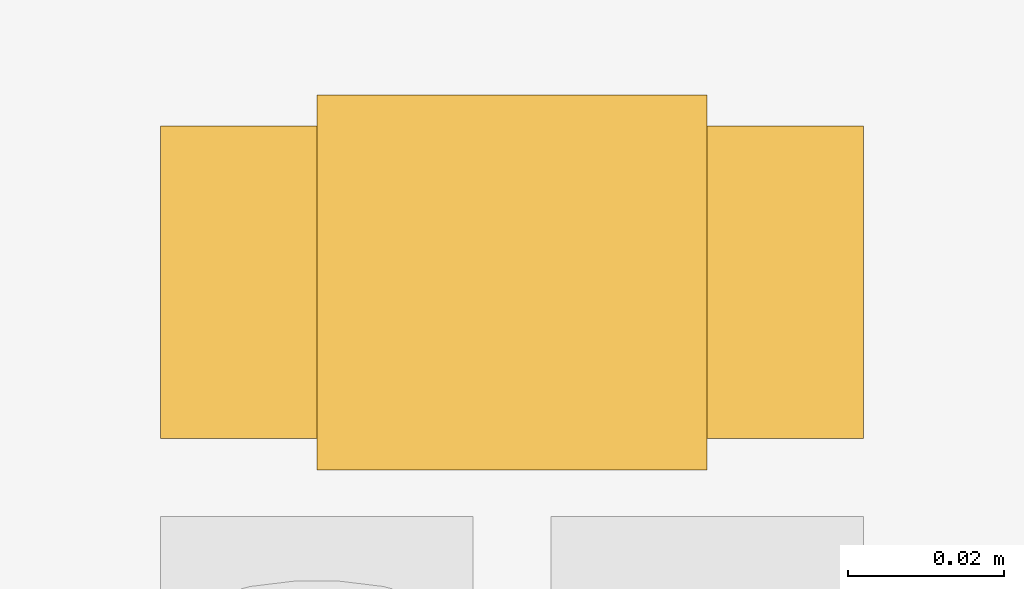
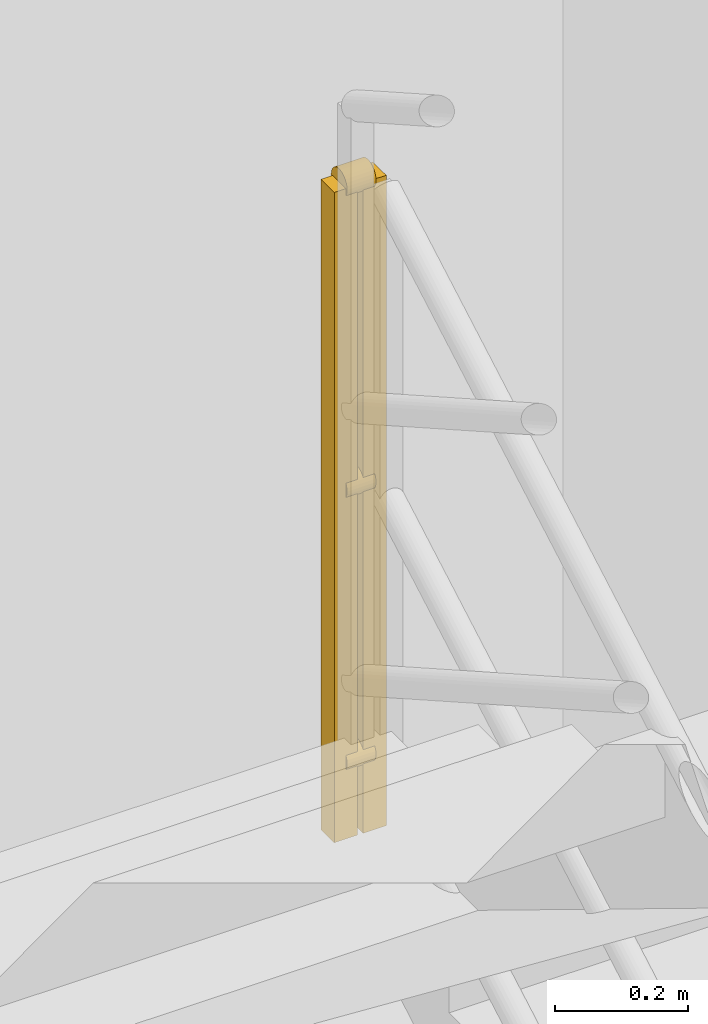
# One storey, part 10 of 15: 1 railing.
"""IFC4 building model written with IfcOpenShell, lengths in metres."""

from ifc_helpers import new_model, entity, si_unit, converted_unit, direction, frame, origin_with_axes, origin_2d_with_axis, place, context, subcontext, project, spatial, rectangle, circle, extrude, material, type_object, element, save


model = new_model("IFC4")

# Units and contexts
model_context = context("Model", 3, precision=1e-05, world=origin_with_axes(), true_north=direction((0.0, 1.0)))
body_context = subcontext(model_context, "Body", "Model", "MODEL_VIEW")
ifc_project = project(units=[si_unit("LENGTHUNIT", "METRE"), si_unit("AREAUNIT", "SQUARE_METRE"), si_unit("VOLUMEUNIT", "CUBIC_METRE"), converted_unit("PLANEANGLEUNIT", "DEGREE", entity("IfcPlaneAngleMeasure", 0.017453292519943295), si_unit("PLANEANGLEUNIT", "RADIAN"), dimensions=[0, 0, 0, 0, 0, 0, 0]), si_unit("MASSUNIT", "GRAM", prefix="KILO"), si_unit("THERMODYNAMICTEMPERATUREUNIT", "KELVIN")], contexts=[model_context])

# Site, building, storey
site_placement = place(None, origin_with_axes())
site = spatial("IfcSite", under=ifc_project, at=site_placement, CompositionType="ELEMENT")
building_placement = place(site_placement, origin_with_axes())
building = spatial("IfcBuilding", under=site, at=building_placement, Name="Varnlund Millrace Tower", CompositionType="ELEMENT")
storey_placement = place(building_placement, frame((0.0, 0.0, 79.5), z_axis=(0.0, 0.0, 1.0), x_axis=(1.0, 0.0, 0.0)))
storey = spatial("IfcBuildingStorey", under=building, at=storey_placement, Name="L19", CompositionType="ELEMENT", Elevation=79.5)

# Railing
ifc_material = material(Name="Painted steel stair well balustrade guard", Category="steel")
railing_type = type_object("IfcRailingType", Name="Type-StairGuard-1150", PredefinedType="GUARDRAIL", material=ifc_material)
railing_placement = place(storey_placement, frame((0.0, 0.0, -79.5), z_axis=(0.0, 0.0, 1.0), x_axis=(1.0, 0.0, 0.0)))
element("IfcRailing", 1, at=railing_placement, inside=storey, type_object=railing_type, Name="Type-StairGuard-1150", PredefinedType="GUARDRAIL", context=body_context, shape_type="SweptSolid", body=[
    extrude(circle(Radius=0.024, at=origin_2d_with_axis()), frame((13.625, 16.95, 83.2), z_axis=(1.0, 0.0, 0.0), x_axis=(0.0, 1.0, 0.0)), (0.0, 0.0, 1.0), 0.05),
    extrude(circle(Radius=0.024, at=origin_2d_with_axis()), frame((13.625, 16.95, 82.15), z_axis=(1.0, 0.0, 0.0), x_axis=(0.0, 1.0, 0.0)), (0.0, 0.0, 1.0), 0.05),
    extrude(circle(Radius=0.024, at=origin_2d_with_axis()), frame((13.625, 16.95, 82.648), z_axis=(1.0, 0.0, 0.0), x_axis=(0.0, 1.0, 0.0)), (0.0, 0.0, 1.0), 0.05),
    extrude(rectangle(XDim=0.04, YDim=0.04, at=origin_2d_with_axis()), frame((13.625, 16.95, 82.01), z_axis=(0.0, 0.0, 1.0), x_axis=(1.0, 0.0, 0.0)), (0.0, 0.0, 1.0), 1.19),
    extrude(rectangle(XDim=0.04, YDim=0.04, at=origin_2d_with_axis()), frame((13.675, 16.95, 82.01), z_axis=(0.0, 0.0, 1.0), x_axis=(1.0, 0.0, 0.0)), (0.0, 0.0, 1.0), 1.19),
])

save(model, "model.ifc")
